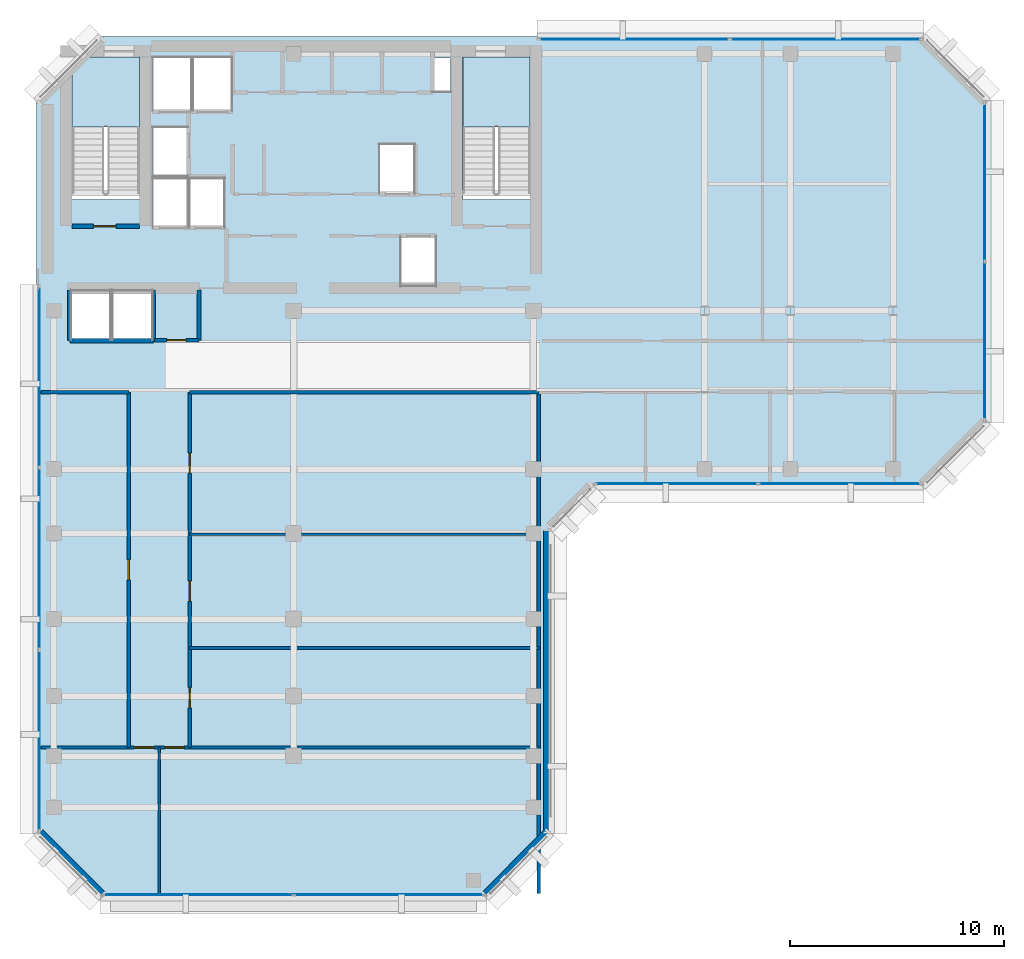
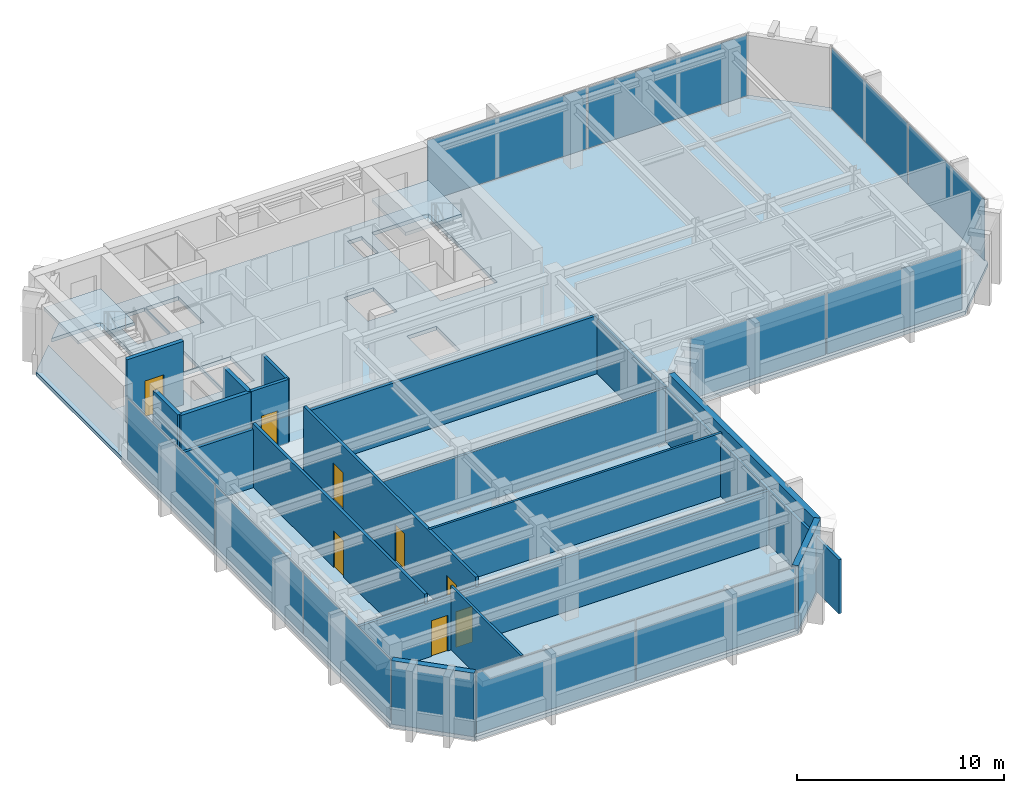
# One storey, part 6 of 11: 18 walls, 11 plates, 8 doors, 3 slabs, 8 openings, 7 elements without a shape of their own.
"""IFC4 building model written with IfcOpenShell, lengths in metres."""

from ifc_helpers import new_model, si_unit, direction, frame, frame_2d, origin, origin_2d, place, context, subcontext, project, spatial, polyline, rectangle, outline, extrude, material, layer, layer_set, type_object, element, fill, aggregate, save


model = new_model("IFC4")

# Units and contexts
model_context = context("Model", 3, precision=1e-05, world=origin(), true_north=direction((0.0, 1.0)))
body_context = subcontext(model_context, "Body", "Model", "MODEL_VIEW")
ifc_project = project(units=[si_unit("LENGTHUNIT", "METRE"), si_unit("AREAUNIT", "SQUARE_METRE"), si_unit("VOLUMEUNIT", "CUBIC_METRE"), si_unit("PLANEANGLEUNIT", "RADIAN"), si_unit("MASSUNIT", "GRAM", prefix="KILO")], contexts=[model_context])

# Site, building, storey
site_placement = place(None, origin())
site = spatial("IfcSite", under=ifc_project, at=site_placement, CompositionType="ELEMENT")
building_placement = place(site_placement, origin())
building = spatial("IfcBuilding", under=site, at=building_placement, Name="Kefirva Bronze Tower", CompositionType="ELEMENT")
storey_placement = place(building_placement, frame((0.0, 0.0, 288.090087890625)))
storey = spatial("IfcBuildingStorey", under=building, at=storey_placement, Name="L70", CompositionType="ELEMENT", Elevation=288.090087890625)

# Stair, slab
ifc_material_1 = material(Name="Concrete C40/50", Category="concrete")
stair_type = type_object("IfcStairType", Name="RC Dogleg Protected Stair 24R", PredefinedType="HALF_TURN_STAIR", material=ifc_material_1)
stair_1_placement = place(storey_placement, origin())
stair_1 = element("IfcStair", 1, at=stair_1_placement, inside=storey, type_object=stair_type, Name="L70 Protected Exit Stair 1", PredefinedType="HALF_TURN_STAIR")
ifc_layer_1 = layer(ifc_material_1, 0.199951171875, Name="Concrete C40/50")
ifc_layer_set_1 = layer_set([ifc_layer_1], Name="Concrete C40/50")
slab_type_1 = type_object("IfcSlabType", Name="RC Stair Landing Slab 200mm", PredefinedType="LANDING", material=ifc_layer_set_1)
slab_1_placement = place(storey_placement, frame((0.0, 0.0, 1.780029296875)))
slab_1 = element("IfcSlab", 2, at=slab_1_placement, type_object=slab_type_1, Name="ST-1 landing 1", PredefinedType="LANDING", context=body_context, shape_type="SweptSolid", body=[
    extrude(outline(polyline([(4.800048828125, 41.780029296875), (4.800048828125, 45.050048828125), (1.64990234375, 45.050048828125), (1.64990234375, 41.780029296875), (4.800048828125, 41.780029296875)])), origin(), (0.0, 0.0, 1.0), 0.199951171875),
])
aggregate(stair_1, [slab_1])

stair_2_placement = place(storey_placement, origin())
stair_2 = element("IfcStair", 3, at=stair_2_placement, inside=storey, type_object=stair_type, Name="L70 Protected Exit Stair 2", PredefinedType="HALF_TURN_STAIR")
slab_2_placement = place(storey_placement, frame((0.0, 0.0, 1.780029296875)))
slab_2 = element("IfcSlab", 4, at=slab_2_placement, type_object=slab_type_1, Name="ST-2 landing 1", PredefinedType="LANDING", context=body_context, shape_type="SweptSolid", body=[
    extrude(outline(polyline([(23.050048828125, 41.780029296875), (23.050048828125, 45.050048828125), (19.89990234375, 45.050048828125), (19.89990234375, 41.780029296875), (23.050048828125, 41.780029296875)])), origin(), (0.0, 0.0, 1.0), 0.199951171875),
])
aggregate(stair_2, [slab_2])

# Slab
ifc_layer_2 = layer(ifc_material_1, 0.219970703125, Name="Concrete C40/50")
ifc_layer_set_2 = layer_set([ifc_layer_2], Name="Concrete C40/50")
slab_type_2 = type_object("IfcSlabType", Name="RC Upper Floor Slab 220mm", PredefinedType="FLOOR", material=ifc_layer_set_2)
slab_3_placement = place(storey_placement, frame((0.0, 0.0, -0.219970703125)))
element("IfcSlab", 5, at=slab_3_placement, inside=storey, type_object=slab_type_2, Name="L70 Structural Floor Slab", PredefinedType="FLOOR", context=body_context, shape_type="SweptSolid", body=[
    extrude(outline(polyline([(0.0, 8.800048828125), (0.0, 43.0), (1.64990234375, 44.64990234375), (1.64990234375, 38.39990234375), (4.800048828125, 38.39990234375), (4.800048828125, 45.050048828125), (2.050048828125, 45.050048828125), (3.0, 46.0), (41.39990234375, 46.0), (44.39990234375, 43.0), (44.39990234375, 28.0), (41.39990234375, 25.0), (26.0, 25.0), (24.0, 23.0), (24.0, 8.800048828125), (21.0, 5.800048828125), (3.0, 5.800048828125), (0.0, 8.800048828125)]), holes=[polyline([(23.050048828125, 45.050048828125), (19.89990234375, 45.050048828125), (19.89990234375, 38.39990234375), (23.050048828125, 38.39990234375), (23.050048828125, 45.050048828125)]), polyline([(19.320068359375, 43.419921875), (19.320068359375, 45.0), (18.52001953125, 45.0), (18.52001953125, 43.419921875), (19.320068359375, 43.419921875)]), polyline([(18.64990234375, 36.64990234375), (17.0, 36.64990234375), (17.0, 34.35009765625), (18.64990234375, 34.35009765625), (18.64990234375, 36.64990234375)]), polyline([(17.64990234375, 38.679931640625), (17.64990234375, 40.97998046875), (16.0, 40.97998046875), (16.0, 38.679931640625), (17.64990234375, 38.679931640625)]), polyline([(9.1201171875, 42.550048828125), (9.1201171875, 45.050048828125), (7.300048828125, 45.050048828125), (7.300048828125, 42.550048828125), (9.1201171875, 42.550048828125)]), polyline([(8.780029296875, 37.10009765625), (8.780029296875, 39.39990234375), (7.139892578125, 39.39990234375), (7.139892578125, 37.10009765625), (8.780029296875, 37.10009765625)]), polyline([(7.239990234375, 42.550048828125), (7.239990234375, 45.050048828125), (5.419921875, 45.050048828125), (5.419921875, 42.550048828125), (7.239990234375, 42.550048828125)]), polyline([(7.06005859375, 37.10009765625), (7.06005859375, 39.39990234375), (5.419921875, 39.39990234375), (5.419921875, 37.10009765625), (7.06005859375, 37.10009765625)]), polyline([(7.06005859375, 41.780029296875), (5.419921875, 41.780029296875), (5.419921875, 39.47998046875), (7.06005859375, 39.47998046875), (7.06005859375, 41.780029296875)]), polyline([(5.39990234375, 31.85009765625), (5.39990234375, 34.14990234375), (3.550048828125, 34.14990234375), (3.550048828125, 31.85009765625), (5.39990234375, 31.85009765625)]), polyline([(3.449951171875, 34.14990234375), (1.60009765625, 34.14990234375), (1.60009765625, 31.85009765625), (3.449951171875, 31.85009765625), (3.449951171875, 34.14990234375)])]), origin(), (0.0, 0.0, 1.0), 0.219970703125),
])

# Curtain wall, plates
ifc_material_2 = material(Name="Bronze anodised aluminium", Category="aluminium")
ifc_layer_3 = layer(ifc_material_2, 0.179931640625, Name="Bronze anodised aluminium")
ifc_layer_set_3 = layer_set([ifc_layer_3], Name="Bronze anodised aluminium")
curtain_wall_type = type_object("IfcCurtainWallType", Name="Unitised Bronze Ribbon Curtain Wall Zone 4", PredefinedType="USERDEFINED", material=ifc_layer_set_3)
curtain_wall_1_placement = place(storey_placement, origin())
curtain_wall_1 = element("IfcCurtainWall", 6, at=curtain_wall_1_placement, inside=storey, type_object=curtain_wall_type, Name="L70 Curtain Wall 1", ObjectType="UNITISED CURTAIN WALL", PredefinedType="USERDEFINED")
ifc_material_3 = material(Name="Laminated low-E double glazing", Category="glass")
ifc_layer_4 = layer(ifc_material_3, 0.031982421875, Name="Laminated low-E double glazing")
ifc_layer_set_4 = layer_set([ifc_layer_4], Name="Laminated low-E double glazing")
plate_type = type_object("IfcPlateType", Name="Solar-Control Low-E Vision Panel 32mm", PredefinedType="CURTAIN_PANEL", material=ifc_layer_set_4)
plate_1_placement = place(storey_placement, frame((7.546142578125, 5.919921875, 0.07470703125), z_axis=(0.0, 0.0, 1.0), x_axis=(1.0, 0.0, 0.0)))
plate_1 = element("IfcPlate", 7, at=plate_1_placement, type_object=plate_type, Name="CW-04 panel 1.1", PredefinedType="CURTAIN_PANEL", context=body_context, shape_type="SweptSolid", body=[
    extrude(rectangle(XDim=8.83251953125, YDim=0.031982421875, at=origin_2d()), origin(), (0.0, 0.0, 1.0), 3.590087890625),
])
plate_2_placement = place(storey_placement, frame((16.453857421875, 5.919921875, 0.07470703125), z_axis=(0.0, 0.0, 1.0), x_axis=(1.0, 0.0, 0.0)))
plate_2 = element("IfcPlate", 8, at=plate_2_placement, type_object=plate_type, Name="CW-04 panel 2.1", PredefinedType="CURTAIN_PANEL", context=body_context, shape_type="SweptSolid", body=[
    extrude(rectangle(XDim=8.83251953125, YDim=0.031982421875, at=origin_2d()), origin(), (0.0, 0.0, 1.0), 3.590087890625),
])
aggregate(curtain_wall_1, [plate_1, plate_2])

curtain_wall_2_placement = place(storey_placement, origin())
curtain_wall_2 = element("IfcCurtainWall", 9, at=curtain_wall_2_placement, inside=storey, type_object=curtain_wall_type, Name="L70 Curtain Wall 2", ObjectType="UNITISED CURTAIN WALL", PredefinedType="USERDEFINED")
plate_3_placement = place(storey_placement, frame((29.896240234375, 25.1201171875, 0.07470703125), z_axis=(0.0, 0.0, 1.0), x_axis=(1.0, 0.0, 0.0)))
plate_3 = element("IfcPlate", 10, at=plate_3_placement, type_object=plate_type, Name="CW-04 panel 1.1", PredefinedType="CURTAIN_PANEL", context=body_context, shape_type="SweptSolid", body=[
    extrude(rectangle(XDim=7.532470703125, YDim=0.031982421875, at=origin_2d()), origin(), (0.0, 0.0, 1.0), 3.590087890625),
])
plate_4_placement = place(storey_placement, frame((37.503662109375, 25.1201171875, 0.07470703125), z_axis=(0.0, 0.0, 1.0), x_axis=(1.0, 0.0, 0.0)))
plate_4 = element("IfcPlate", 11, at=plate_4_placement, type_object=plate_type, Name="CW-04 panel 2.1", PredefinedType="CURTAIN_PANEL", context=body_context, shape_type="SweptSolid", body=[
    extrude(rectangle(XDim=7.532470703125, YDim=0.031982421875, at=origin_2d()), origin(), (0.0, 0.0, 1.0), 3.590087890625),
])
aggregate(curtain_wall_2, [plate_3, plate_4])

curtain_wall_3_placement = place(storey_placement, origin())
curtain_wall_3 = element("IfcCurtainWall", 12, at=curtain_wall_3_placement, inside=storey, type_object=curtain_wall_type, Name="L70 Curtain Wall 3", ObjectType="UNITISED CURTAIN WALL", PredefinedType="USERDEFINED")
plate_5_placement = place(storey_placement, frame((44.280029296875, 31.796142578125, 0.07470703125), z_axis=(0.0, 0.0, 1.0), x_axis=(0.0, 1.0, 0.0)))
plate_5 = element("IfcPlate", 13, at=plate_5_placement, type_object=plate_type, Name="CW-04 panel 1.1", PredefinedType="CURTAIN_PANEL", context=body_context, shape_type="SweptSolid", body=[
    extrude(rectangle(XDim=7.33251953125, YDim=0.031982421875, at=origin_2d()), origin(), (0.0, 0.0, 1.0), 3.590087890625),
])
plate_6_placement = place(storey_placement, frame((44.280029296875, 39.203857421875, 0.07470703125), z_axis=(0.0, 0.0, 1.0), x_axis=(0.0, 1.0, 0.0)))
plate_6 = element("IfcPlate", 14, at=plate_6_placement, type_object=plate_type, Name="CW-04 panel 2.1", PredefinedType="CURTAIN_PANEL", context=body_context, shape_type="SweptSolid", body=[
    extrude(rectangle(XDim=7.33251953125, YDim=0.031982421875, at=origin_2d()), origin(), (0.0, 0.0, 1.0), 3.590087890625),
])
aggregate(curtain_wall_3, [plate_5, plate_6])

curtain_wall_4_placement = place(storey_placement, origin())
curtain_wall_4 = element("IfcCurtainWall", 15, at=curtain_wall_4_placement, inside=storey, type_object=curtain_wall_type, Name="L70 Curtain Wall 4", ObjectType="UNITISED CURTAIN WALL", PredefinedType="USERDEFINED")
plate_7_placement = place(storey_placement, frame((36.84130859375, 45.8798828125, 0.07470703125), z_axis=(0.0, 0.0, 1.0), x_axis=(-1.0, 0.0, 0.0)))
plate_7 = element("IfcPlate", 16, at=plate_7_placement, type_object=plate_type, Name="CW-04 panel 1.1", PredefinedType="CURTAIN_PANEL", context=body_context, shape_type="SweptSolid", body=[
    extrude(rectangle(XDim=8.857421875, YDim=0.031982421875, at=origin_2d()), origin(), (0.0, 0.0, 1.0), 3.590087890625),
])
plate_8_placement = place(storey_placement, frame((27.90869140625, 45.8798828125, 0.07470703125), z_axis=(0.0, 0.0, 1.0), x_axis=(-1.0, 0.0, 0.0)))
plate_8 = element("IfcPlate", 17, at=plate_8_placement, type_object=plate_type, Name="CW-04 panel 2.1", PredefinedType="CURTAIN_PANEL", context=body_context, shape_type="SweptSolid", body=[
    extrude(rectangle(XDim=8.857421875, YDim=0.031982421875, at=origin_2d()), origin(), (0.0, 0.0, 1.0), 3.590087890625),
])
aggregate(curtain_wall_4, [plate_7, plate_8])

curtain_wall_5_placement = place(storey_placement, origin())
curtain_wall_5 = element("IfcCurtainWall", 18, at=curtain_wall_5_placement, inside=storey, type_object=curtain_wall_type, Name="L70 Curtain Wall 5", ObjectType="UNITISED CURTAIN WALL", PredefinedType="USERDEFINED")
plate_9_placement = place(storey_placement, frame((0.1201171875, 30.11962890625, 0.07470703125), z_axis=(0.0, 0.0, 1.0), x_axis=(0.0, -1.0, 0.0)))
plate_9 = element("IfcPlate", 19, at=plate_9_placement, type_object=plate_type, Name="CW-04 panel 1.1", PredefinedType="CURTAIN_PANEL", context=body_context, shape_type="SweptSolid", body=[
    extrude(rectangle(XDim=8.40087890625, YDim=0.031982421875, at=origin_2d()), origin(), (0.0, 0.0, 1.0), 3.590087890625),
])
plate_10_placement = place(storey_placement, frame((0.1201171875, 21.625, 0.07470703125), z_axis=(0.0, 0.0, 1.0), x_axis=(0.0, -1.0, 0.0)))
plate_10 = element("IfcPlate", 20, at=plate_10_placement, type_object=plate_type, Name="CW-04 panel 2.1", PredefinedType="CURTAIN_PANEL", context=body_context, shape_type="SweptSolid", body=[
    extrude(rectangle(XDim=8.438232421875, YDim=0.031982421875, at=origin_2d()), origin(), (0.0, 0.0, 1.0), 3.590087890625),
])
plate_11_placement = place(storey_placement, frame((0.1201171875, 13.13037109375, 0.07470703125), z_axis=(0.0, 0.0, 1.0), x_axis=(0.0, -1.0, 0.0)))
plate_11 = element("IfcPlate", 21, at=plate_11_placement, type_object=plate_type, Name="CW-04 panel 3.1", PredefinedType="CURTAIN_PANEL", context=body_context, shape_type="SweptSolid", body=[
    extrude(rectangle(XDim=8.40087890625, YDim=0.031982421875, at=origin_2d()), origin(), (0.0, 0.0, 1.0), 3.590087890625),
])
aggregate(curtain_wall_5, [plate_9, plate_10, plate_11])

# Walls
ifc_material_4 = material(Name="Gypsum acoustic partition")
ifc_layer_5 = layer(ifc_material_4, 0.1298828125, Name="Gypsum acoustic partition")
ifc_layer_set_5 = layer_set([ifc_layer_5], Name="Gypsum acoustic partition")
wall_type_1 = type_object("IfcWallType", Name="Acoustic Office Partition 130mm", PredefinedType="PARTITIONING", material=ifc_layer_set_5)
wall_1_placement = place(storey_placement, frame((5.719970703125, 5.989990234375, 0.0), z_axis=(0.0, 0.0, 1.0), x_axis=(0.0, 1.0, 0.0)))
element("IfcWall", 22, at=wall_1_placement, inside=storey, type_object=wall_type_1, Name="L70 Partition W-L70-CAPDV", PredefinedType="PARTITIONING", context=body_context, shape_type="SweptSolid", body=[
    extrude(rectangle(XDim=6.81005859375, YDim=0.1298828125, at=frame_2d((3.405029296875, 0.0))), origin(), (0.0, 0.0, 1.0), 3.739990234375),
])
wall_2_placement = place(storey_placement, frame((7.139892578125, 17.447998046875, 0.0), z_axis=(0.0, 0.0, 1.0), x_axis=(1.0, 0.0, 0.0)))
element("IfcWall", 23, at=wall_2_placement, inside=storey, type_object=wall_type_1, Name="L70 Partition W-L70-SED1", PredefinedType="PARTITIONING", context=body_context, shape_type="SweptSolid", body=[
    extrude(rectangle(XDim=16.31005859375, YDim=0.1298828125, at=frame_2d((8.155029296875, 0.0))), origin(), (0.0, 0.0, 1.0), 3.739990234375),
])
wall_3_placement = place(storey_placement, frame((7.139892578125, 22.760009765625, 0.0), z_axis=(0.0, 0.0, 1.0), x_axis=(1.0, 0.0, 0.0)))
element("IfcWall", 24, at=wall_3_placement, inside=storey, type_object=wall_type_1, Name="L70 Partition W-L70-SED2", PredefinedType="PARTITIONING", context=body_context, shape_type="SweptSolid", body=[
    extrude(rectangle(XDim=16.31005859375, YDim=0.1298828125, at=frame_2d((8.155029296875, 0.0))), origin(), (0.0, 0.0, 1.0), 3.1748046875),
])

# Wall, opening, door
ifc_material_5 = material(Name="Gypsum fireboard shaftwall")
ifc_layer_6 = layer(ifc_material_5, 0.219970703125, Name="Gypsum fireboard shaftwall")
ifc_layer_set_6 = layer_set([ifc_layer_6], Name="Gypsum fireboard shaftwall")
wall_type_2 = type_object("IfcWallType", Name="Fire-Rated Shaft Enclosure Wall 220mm", PredefinedType="PARTITIONING", material=ifc_layer_set_6)
wall_4_placement = place(storey_placement, frame((1.64990234375, 37.14990234375, 0.0), z_axis=(0.0, 0.0, 1.0), x_axis=(1.0, 0.0, 0.0)))
wall_4 = element("IfcWall", 25, at=wall_4_placement, inside=storey, type_object=wall_type_2, Name="L70 Partition W-L70-ST1S", PredefinedType="PARTITIONING", context=body_context, shape_type="SweptSolid", body=[
    extrude(rectangle(XDim=3.150146484375, YDim=0.219970703125, at=frame_2d((1.5751953125, 0.0))), origin(), (0.0, 0.0, 1.0), 3.739990234375),
])
opening_1_placement = place(wall_4_placement, frame((2.050048828125, 0.0, 0.0), z_axis=(0.0, 0.0, 1.0), x_axis=(-1.0, 0.0, 0.0)))
opening_1 = element("IfcOpeningElement", 26, at=opening_1_placement, cuts=wall_4, Name="Opening L70-D001", PredefinedType="OPENING", context=body_context, shape_type="SweptSolid", body=[
    extrude(rectangle(XDim=1.050048828125, YDim=2.14990234375, at=frame_2d((0.52490234375, 1.074951171875))), frame((0.0, 0.1201171875, 0.0), z_axis=(0.0, -1.0, 0.0), x_axis=(1.0, 0.0, 0.0)), (0.0, 0.0, 1.0), 0.239990234375),
])
ifc_material_6 = material(Name="Painted galvanized steel", Category="steel")
door_type_1 = type_object("IfcDoorType", Name="Fire Stair Enclosure Door 1050x2150 FD90S", OperationType="NOTDEFINED", PredefinedType="DOOR", material=ifc_material_6)
door_1_placement = place(opening_1_placement, origin())
door_1 = element("IfcDoor", 27, at=door_1_placement, inside=storey, type_object=door_type_1, Name="Door L70-D001", OperationType="SINGLE_SWING_RIGHT", OverallHeight=2.14990234375, OverallWidth=1.050048828125, PredefinedType="DOOR", context=body_context, shape_type="SweptSolid", body=[
    extrude(rectangle(XDim=1.050048828125, YDim=2.14990234375, at=frame_2d((0.52490234375, 1.074951171875))), frame((0.0, 0.02490234375, 0.0), z_axis=(0.0, -1.0, 0.0), x_axis=(1.0, 0.0, 0.0)), (0.0, 0.0, 1.0), 0.050048828125),
])
fill(opening_1, door_1)

# Walls
wall_5_placement = place(storey_placement, frame((1.550048828125, 31.800048828125, 0.0), z_axis=(0.0, 0.0, 1.0), x_axis=(1.0, 0.0, 0.0)))
element("IfcWall", 28, at=wall_5_placement, inside=storey, type_object=wall_type_2, Name="L70 Partition W-L70-OBS", PredefinedType="PARTITIONING", context=body_context, shape_type="SweptSolid", body=[
    extrude(rectangle(XDim=3.89990234375, YDim=0.219970703125, at=frame_2d((1.949951171875, 0.0))), origin(), (0.0, 0.0, 1.0), 3.739990234375),
])
for number, where, z_axis, x_axis, name in (
    (29, (1.550048828125, 31.800048828125, 0.0), (0.0, 0.0, 1.0), (0.0, 1.0, 0.0), "L70 Partition W-L70-OBW"),
    (30, (5.449951171875, 31.800048828125, 0.0), (0.0, 0.0, 1.0), (0.0, 1.0, 0.0), "L70 Partition W-L70-OBE"),
):
    element("IfcWall", number, at=place(storey_placement, frame(where, z_axis=z_axis, x_axis=x_axis)), inside=storey, type_object=wall_type_2, Name=name, PredefinedType="PARTITIONING", context=body_context, shape_type="SweptSolid", body=[
        extrude(rectangle(XDim=2.3798828125, YDim=0.219970703125, at=frame_2d((1.18994140625, 0.0))), origin(), (0.0, 0.0, 1.0), 3.739990234375),
    ])
ifc_material_7 = material(Name="Precast concrete C40/50", Category="concrete")
ifc_layer_7 = layer(ifc_material_7, 0.320068359375, Name="Precast concrete C40/50")
ifc_layer_set_7 = layer_set([ifc_layer_7], Name="Precast concrete C40/50")
wall_type_3 = type_object("IfcWallType", Name="Precast Insulated Exterior Wall 320mm", PredefinedType="SOLIDWALL", material=ifc_layer_set_7)
wall_6_placement = place(storey_placement, frame((20.92578125, 5.951904296875, 0.0), z_axis=(0.0, 0.0, 1.0), x_axis=(0.707077242712, 0.707136318428, 0.0)))
element("IfcWall", 31, at=wall_6_placement, inside=storey, type_object=wall_type_3, Name="L70 Exterior Facade Wall 1", PredefinedType="SOLIDWALL", context=body_context, shape_type="SweptSolid", body=[
    extrude(rectangle(XDim=4.132568359375, YDim=0.320068359375, at=frame_2d((2.06640625, 0.0))), origin(), (0.0, 0.0, 1.0), 3.739990234375),
])
wall_7_placement = place(storey_placement, frame((23.840087890625, 8.85498046875, 0.0), z_axis=(0.0, 0.0, 1.0), x_axis=(0.0, 1.0, 0.0)))
element("IfcWall", 32, at=wall_7_placement, inside=storey, type_object=wall_type_3, Name="L70 Exterior Facade Wall 2", PredefinedType="SOLIDWALL", context=body_context, shape_type="SweptSolid", body=[
    extrude(rectangle(XDim=14.090087890625, YDim=0.320068359375, at=frame_2d((7.044921875, 0.0))), origin(), (0.0, 0.0, 1.0), 3.739990234375),
])
wall_8_placement = place(storey_placement, frame((0.152099609375, 8.874267578125, 0.0), z_axis=(0.0, 0.0, 1.0), x_axis=(0.707077242712, -0.707136318428, 0.0)))
element("IfcWall", 33, at=wall_8_placement, inside=storey, type_object=wall_type_3, Name="L70 Exterior Facade Wall 7", PredefinedType="SOLIDWALL", context=body_context, shape_type="SweptSolid", body=[
    extrude(rectangle(XDim=4.132568359375, YDim=0.320068359375, at=frame_2d((2.06640625, 0.0))), origin(), (0.0, 0.0, 1.0), 3.739990234375),
])

# Wall, opening, door
ifc_layer_8 = layer(ifc_material_4, 0.159912109375, Name="Gypsum acoustic partition")
ifc_layer_set_8 = layer_set([ifc_layer_8], Name="Gypsum acoustic partition")
wall_type_4 = type_object("IfcWallType", Name="Protected Corridor Partition 160mm", PredefinedType="PARTITIONING", material=ifc_layer_set_8)
wall_9_placement = place(storey_placement, frame((4.300048828125, 12.800048828125, 0.0), z_axis=(0.0, 0.0, 1.0), x_axis=(0.0, 1.0, 0.0)))
wall_9 = element("IfcWall", 34, at=wall_9_placement, inside=storey, type_object=wall_type_4, Name="L70 Partition W-L70-SWCORW", PredefinedType="PARTITIONING", context=body_context, shape_type="SweptSolid", body=[
    extrude(rectangle(XDim=16.599853515625, YDim=0.159912109375, at=frame_2d((8.2998046875, 0.0))), origin(), (0.0, 0.0, 1.0), 3.739990234375),
])
opening_2_placement = place(wall_9_placement, frame((8.77490234375, 0.0, 0.0), z_axis=(0.0, 0.0, 1.0), x_axis=(-1.0, 0.0, 0.0)))
opening_2 = element("IfcOpeningElement", 35, at=opening_2_placement, cuts=wall_9, Name="Opening L70-D-SW1", PredefinedType="OPENING", context=body_context, shape_type="SweptSolid", body=[
    extrude(rectangle(XDim=0.949951171875, YDim=2.14990234375, at=frame_2d((0.47509765625, 1.074951171875))), frame((0.0, 0.08984375, 0.0), z_axis=(0.0, -1.0, 0.0), x_axis=(1.0, 0.0, 0.0)), (0.0, 0.0, 1.0), 0.179931640625),
])
ifc_material_8 = material(Name="Acoustic hardwood oak", Category="wood")
door_type_2 = type_object("IfcDoorType", Name="Office & Meeting Room Door 950x2150", OperationType="NOTDEFINED", PredefinedType="DOOR", material=ifc_material_8)
door_2_placement = place(opening_2_placement, origin())
door_2 = element("IfcDoor", 36, at=door_2_placement, inside=storey, type_object=door_type_2, Name="Door L70-D-SW1", OperationType="SINGLE_SWING_LEFT", OverallHeight=2.14990234375, OverallWidth=0.949951171875, PredefinedType="DOOR", context=body_context, shape_type="SweptSolid", body=[
    extrude(rectangle(XDim=0.949951171875, YDim=2.14990234375, at=frame_2d((0.47509765625, 1.074951171875))), frame((0.0, 0.02490234375, 0.0), z_axis=(0.0, -1.0, 0.0), x_axis=(1.0, 0.0, 0.0)), (0.0, 0.0, 1.0), 0.050048828125),
])
fill(opening_2, door_2)

# Wall, openings, doors
wall_10_placement = place(storey_placement, frame((7.139892578125, 12.800048828125, 0.0), z_axis=(0.0, 0.0, 1.0), x_axis=(0.0, 1.0, 0.0)))
wall_10 = element("IfcWall", 37, at=wall_10_placement, inside=storey, type_object=wall_type_4, Name="L70 Partition W-L70-SECORE", PredefinedType="PARTITIONING", context=body_context, shape_type="SweptSolid", body=[
    extrude(rectangle(XDim=16.599853515625, YDim=0.159912109375, at=frame_2d((8.2998046875, 0.0))), origin(), (0.0, 0.0, 1.0), 3.739990234375),
])
opening_3_placement = place(wall_10_placement, frame((1.84912109375, 0.0, 0.0)))
opening_3 = element("IfcOpeningElement", 38, at=opening_3_placement, cuts=wall_10, Name="Opening L70-D-SE1", PredefinedType="OPENING", context=body_context, shape_type="SweptSolid", body=[
    extrude(rectangle(XDim=0.949951171875, YDim=2.14990234375, at=frame_2d((0.47509765625, 1.074951171875))), frame((0.0, 0.08984375, 0.0), z_axis=(0.0, -1.0, 0.0), x_axis=(1.0, 0.0, 0.0)), (0.0, 0.0, 1.0), 0.179931640625),
])
opening_4_placement = place(wall_10_placement, frame((6.8291015625, 0.0, 0.0)))
opening_4 = element("IfcOpeningElement", 39, at=opening_4_placement, cuts=wall_10, Name="Opening L70-D-SE2", PredefinedType="OPENING", context=body_context, shape_type="SweptSolid", body=[
    extrude(rectangle(XDim=0.949951171875, YDim=2.14990234375, at=frame_2d((0.47509765625, 1.074951171875))), frame((0.0, 0.08984375, 0.0), z_axis=(0.0, -1.0, 0.0), x_axis=(1.0, 0.0, 0.0)), (0.0, 0.0, 1.0), 0.179931640625),
])
opening_5_placement = place(wall_10_placement, frame((12.804931640625, 0.0, 0.0)))
opening_5 = element("IfcOpeningElement", 40, at=opening_5_placement, cuts=wall_10, Name="Opening L70-D-SE3", PredefinedType="OPENING", context=body_context, shape_type="SweptSolid", body=[
    extrude(rectangle(XDim=0.949951171875, YDim=2.14990234375, at=frame_2d((0.47509765625, 1.074951171875))), frame((0.0, 0.08984375, 0.0), z_axis=(0.0, -1.0, 0.0), x_axis=(1.0, 0.0, 0.0)), (0.0, 0.0, 1.0), 0.179931640625),
])
door_3_placement = place(opening_3_placement, origin())
door_3 = element("IfcDoor", 41, at=door_3_placement, inside=storey, type_object=door_type_2, Name="Door L70-D-SE1", OperationType="SINGLE_SWING_RIGHT", OverallHeight=2.14990234375, OverallWidth=0.949951171875, PredefinedType="DOOR", context=body_context, shape_type="SweptSolid", body=[
    extrude(rectangle(XDim=0.949951171875, YDim=2.14990234375, at=frame_2d((0.47509765625, 1.074951171875))), frame((0.0, 0.02490234375, 0.0), z_axis=(0.0, -1.0, 0.0), x_axis=(1.0, 0.0, 0.0)), (0.0, 0.0, 1.0), 0.050048828125),
])
fill(opening_3, door_3)
door_4_placement = place(opening_4_placement, origin())
door_4 = element("IfcDoor", 42, at=door_4_placement, inside=storey, type_object=door_type_2, Name="Door L70-D-SE2", OperationType="SINGLE_SWING_LEFT", OverallHeight=2.14990234375, OverallWidth=0.949951171875, PredefinedType="DOOR", context=body_context, shape_type="SweptSolid", body=[
    extrude(rectangle(XDim=0.949951171875, YDim=2.14990234375, at=frame_2d((0.47509765625, 1.074951171875))), frame((0.0, 0.02490234375, 0.0), z_axis=(0.0, -1.0, 0.0), x_axis=(1.0, 0.0, 0.0)), (0.0, 0.0, 1.0), 0.050048828125),
])
fill(opening_4, door_4)
door_5_placement = place(opening_5_placement, origin())
door_5 = element("IfcDoor", 43, at=door_5_placement, inside=storey, type_object=door_type_2, Name="Door L70-D-SE3", OperationType="SINGLE_SWING_RIGHT", OverallHeight=2.14990234375, OverallWidth=0.949951171875, PredefinedType="DOOR", context=body_context, shape_type="SweptSolid", body=[
    extrude(rectangle(XDim=0.949951171875, YDim=2.14990234375, at=frame_2d((0.47509765625, 1.074951171875))), frame((0.0, 0.02490234375, 0.0), z_axis=(0.0, -1.0, 0.0), x_axis=(1.0, 0.0, 0.0)), (0.0, 0.0, 1.0), 0.050048828125),
])
fill(opening_5, door_5)

wall_11_placement = place(storey_placement, frame((0.18994140625, 12.800048828125, 0.0), z_axis=(0.0, 0.0, 1.0), x_axis=(1.0, 0.0, 0.0)))
wall_11 = element("IfcWall", 44, at=wall_11_placement, inside=storey, type_object=wall_type_4, Name="L70 Partition W-L70-SBEND", PredefinedType="PARTITIONING", context=body_context, shape_type="SweptSolid", body=[
    extrude(rectangle(XDim=23.260009765625, YDim=0.159912109375, at=frame_2d((11.6298828125, 0.0))), origin(), (0.0, 0.0, 1.0), 3.1748046875),
])
opening_6_placement = place(wall_11_placement, frame((4.360107421875, 0.0, 0.0)))
opening_6 = element("IfcOpeningElement", 45, at=opening_6_placement, cuts=wall_11, Name="Opening L70-D-SEND1", PredefinedType="OPENING", context=body_context, shape_type="SweptSolid", body=[
    extrude(rectangle(XDim=0.919921875, YDim=2.10009765625, at=frame_2d((0.4599609375, 1.050048828125))), frame((0.0, 0.08984375, 0.0), z_axis=(0.0, -1.0, 0.0), x_axis=(1.0, 0.0, 0.0)), (0.0, 0.0, 1.0), 0.179931640625),
])
opening_7_placement = place(wall_11_placement, frame((5.780029296875, 0.0, 0.0)))
opening_7 = element("IfcOpeningElement", 46, at=opening_7_placement, cuts=wall_11, Name="Opening L70-D-SEND2", PredefinedType="OPENING", context=body_context, shape_type="SweptSolid", body=[
    extrude(rectangle(XDim=0.919921875, YDim=2.10009765625, at=frame_2d((0.4599609375, 1.050048828125))), frame((0.0, 0.08984375, 0.0), z_axis=(0.0, -1.0, 0.0), x_axis=(1.0, 0.0, 0.0)), (0.0, 0.0, 1.0), 0.179931640625),
])
ifc_material_9 = material(Name="Moisture-resistant timber", Category="wood")
door_type_3 = type_object("IfcDoorType", Name="Accessible Sanitary & WC Door 920x2100", OperationType="NOTDEFINED", PredefinedType="DOOR", material=ifc_material_9)
door_6_placement = place(opening_6_placement, origin())
door_6 = element("IfcDoor", 47, at=door_6_placement, inside=storey, type_object=door_type_3, Name="Door L70-D-SEND1", OperationType="SINGLE_SWING_LEFT", OverallHeight=2.10009765625, OverallWidth=0.919921875, PredefinedType="DOOR", context=body_context, shape_type="SweptSolid", body=[
    extrude(rectangle(XDim=0.919921875, YDim=2.10009765625, at=frame_2d((0.4599609375, 1.050048828125))), frame((0.0, 0.02490234375, 0.0), z_axis=(0.0, -1.0, 0.0), x_axis=(1.0, 0.0, 0.0)), (0.0, 0.0, 1.0), 0.050048828125),
])
fill(opening_6, door_6)
door_7_placement = place(opening_7_placement, origin())
door_7 = element("IfcDoor", 48, at=door_7_placement, inside=storey, type_object=door_type_3, Name="Door L70-D-SEND2", OperationType="SINGLE_SWING_RIGHT", OverallHeight=2.10009765625, OverallWidth=0.919921875, PredefinedType="DOOR", context=body_context, shape_type="SweptSolid", body=[
    extrude(rectangle(XDim=0.919921875, YDim=2.10009765625, at=frame_2d((0.4599609375, 1.050048828125))), frame((0.0, 0.02490234375, 0.0), z_axis=(0.0, -1.0, 0.0), x_axis=(1.0, 0.0, 0.0)), (0.0, 0.0, 1.0), 0.050048828125),
])
fill(opening_7, door_7)

# Walls
wall_12_placement = place(storey_placement, frame((0.18994140625, 29.39990234375, 0.0), z_axis=(0.0, 0.0, 1.0), x_axis=(1.0, 0.0, 0.0)))
element("IfcWall", 49, at=wall_12_placement, inside=storey, type_object=wall_type_4, Name="L70 Partition W-L70-NWT", PredefinedType="PARTITIONING", context=body_context, shape_type="SweptSolid", body=[
    extrude(rectangle(XDim=4.110107421875, YDim=0.159912109375, at=frame_2d((2.05517578125, 0.0))), origin(), (0.0, 0.0, 1.0), 3.4248046875),
])
wall_13_placement = place(storey_placement, frame((7.139892578125, 29.39990234375, 0.0), z_axis=(0.0, 0.0, 1.0), x_axis=(1.0, 0.0, 0.0)))
element("IfcWall", 50, at=wall_13_placement, inside=storey, type_object=wall_type_4, Name="L70 Partition W-L70-NET", PredefinedType="PARTITIONING", context=body_context, shape_type="SweptSolid", body=[
    extrude(rectangle(XDim=16.31005859375, YDim=0.159912109375, at=frame_2d((8.155029296875, 0.0))), origin(), (0.0, 0.0, 1.0), 3.4248046875),
])
wall_14_placement = place(storey_placement, frame((23.449951171875, 5.989990234375, 0.0), z_axis=(0.0, 0.0, 1.0), x_axis=(0.0, 1.0, 0.0)))
element("IfcWall", 51, at=wall_14_placement, inside=storey, type_object=wall_type_4, Name="L70 Partition W-L70-SWEAST", PredefinedType="PARTITIONING", context=body_context, shape_type="SweptSolid", body=[
    extrude(rectangle(XDim=23.409912109375, YDim=0.159912109375, at=frame_2d((11.705078125, 0.0))), origin(), (0.0, 0.0, 1.0), 3.1748046875),
])

# Wall, opening, door
ifc_material_10 = material(Name="Moisture-resistant partition")
ifc_layer_9 = layer(ifc_material_10, 0.179931640625, Name="Moisture-resistant partition")
ifc_layer_set_9 = layer_set([ifc_layer_9], Name="Moisture-resistant partition")
wall_type_5 = type_object("IfcWallType", Name="Sanitary Plumbing Chase Wall 180mm", PredefinedType="PLUMBINGWALL", material=ifc_layer_set_9)
wall_15_placement = place(storey_placement, frame((5.5, 31.820068359375, 0.0), z_axis=(0.0, 0.0, 1.0), x_axis=(1.0, 0.0, 0.0)))
wall_15 = element("IfcWall", 52, at=wall_15_placement, inside=storey, type_object=wall_type_5, Name="L70 Partition W-L70-TCS", PredefinedType="PLUMBINGWALL", context=body_context, shape_type="SweptSolid", body=[
    extrude(rectangle(XDim=2.080078125, YDim=0.179931640625, at=frame_2d((1.0400390625, 0.0))), origin(), (0.0, 0.0, 1.0), 3.739990234375),
])
opening_8_placement = place(wall_15_placement, frame((1.47998046875, 0.0, 0.0), z_axis=(0.0, 0.0, 1.0), x_axis=(-1.0, 0.0, 0.0)))
opening_8 = element("IfcOpeningElement", 53, at=opening_8_placement, cuts=wall_15, Name="Opening L70-D-TCL1", PredefinedType="OPENING", context=body_context, shape_type="SweptSolid", body=[
    extrude(rectangle(XDim=0.89990234375, YDim=2.10009765625, at=frame_2d((0.449951171875, 1.050048828125))), frame((0.0, 0.10009765625, 0.0), z_axis=(0.0, -1.0, 0.0), x_axis=(1.0, 0.0, 0.0)), (0.0, 0.0, 1.0), 0.199951171875),
])
door_type_4 = type_object("IfcDoorType", Name="Telecom & Meter Fire Door 900x2100 FD60S", OperationType="NOTDEFINED", PredefinedType="DOOR", material=ifc_material_6)
door_8_placement = place(opening_8_placement, origin())
door_8 = element("IfcDoor", 54, at=door_8_placement, inside=storey, type_object=door_type_4, Name="Door L70-D-TCL1", OperationType="SINGLE_SWING_LEFT", OverallHeight=2.10009765625, OverallWidth=0.89990234375, PredefinedType="DOOR", context=body_context, shape_type="SweptSolid", body=[
    extrude(rectangle(XDim=0.89990234375, YDim=2.10009765625, at=frame_2d((0.449951171875, 1.050048828125))), frame((0.0, 0.02490234375, 0.0), z_axis=(0.0, -1.0, 0.0), x_axis=(1.0, 0.0, 0.0)), (0.0, 0.0, 1.0), 0.050048828125),
])
fill(opening_8, door_8)

# Wall
wall_16_placement = place(storey_placement, frame((7.580078125, 31.820068359375, 0.0), z_axis=(0.0, 0.0, 1.0), x_axis=(0.0, 1.0, 0.0)))
element("IfcWall", 55, at=wall_16_placement, inside=storey, type_object=wall_type_5, Name="L70 Partition W-L70-TCE", PredefinedType="PLUMBINGWALL", context=body_context, shape_type="SweptSolid", body=[
    extrude(rectangle(XDim=2.35986328125, YDim=0.179931640625, at=frame_2d((1.179931640625, 0.0))), origin(), (0.0, 0.0, 1.0), 3.739990234375),
])

save(model, "model.ifc")
